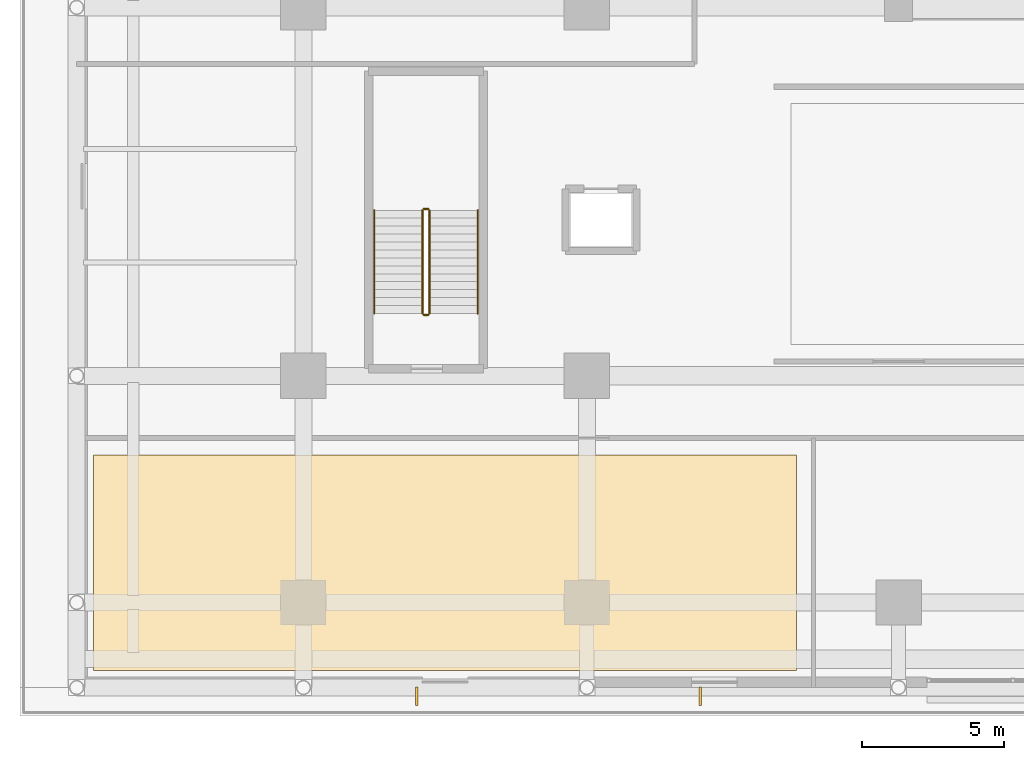
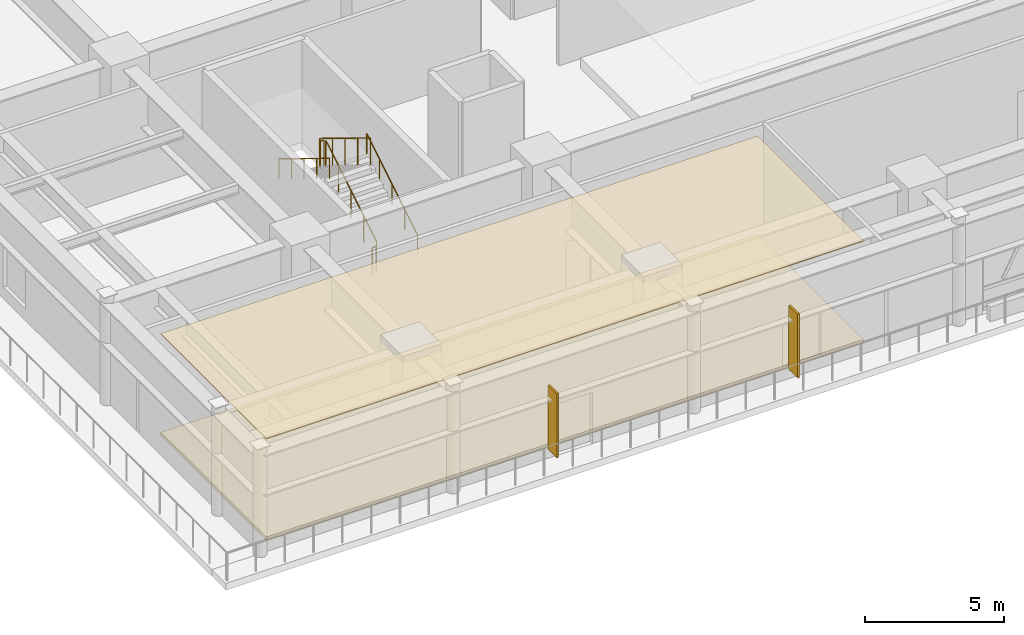
# One storey, part 32 of 38: 6 railings, 2 coverings, 2 shading devices.
"""IFC4 building model written with IfcOpenShell, lengths in metres."""

from ifc_helpers import new_model, si_unit, direction, frame, origin, origin_2d, place, context, subcontext, project, spatial, polyline, rectangle, circle, outline, extrude, source, transform, mapped, material, layer, layer_set, type_object, element, save


model = new_model("IFC4")

# Units and contexts
model_context = context("Model", 3, precision=1e-05, world=origin(), true_north=direction((0.0, 1.0)))
body_context = subcontext(model_context, "Body", "Model", "MODEL_VIEW")
ifc_project = project(units=[si_unit("LENGTHUNIT", "METRE"), si_unit("AREAUNIT", "SQUARE_METRE"), si_unit("VOLUMEUNIT", "CUBIC_METRE"), si_unit("PLANEANGLEUNIT", "RADIAN"), si_unit("MASSUNIT", "GRAM", prefix="KILO")], contexts=[model_context])

# Site, building, storey
site_placement = place(None, origin())
site = spatial("IfcSite", under=ifc_project, at=site_placement, CompositionType="ELEMENT")
building_placement = place(site_placement, origin())
building = spatial("IfcBuilding", under=site, at=building_placement, Name="Khorayat Bourse Tower", CompositionType="ELEMENT")
storey_placement = place(building_placement, frame((0.0, 0.0, 17.39990234375)))
storey = spatial("IfcBuildingStorey", under=building, at=storey_placement, Name="L03", CompositionType="ELEMENT", Elevation=17.39990234375)

# Coverings
ifc_material_1 = material(Name="Mineral fibre acoustic ceiling tile")
ifc_layer_1 = layer(ifc_material_1, 0.0400390625)
ifc_layer_set_1 = layer_set([ifc_layer_1], Name="Mineral fibre acoustic ceiling tile")
covering_type_1 = type_object("IfcCoveringType", Name="COV-CEIL-ACOUSTIC", PredefinedType="CEILING", material=ifc_layer_set_1)
covering_1_placement = place(storey_placement, frame((0.0, 0.0, 4.440185546875)))
element("IfcCovering", 1, at=covering_1_placement, inside=storey, type_object=covering_type_1, Name="L03 Suspended Ceiling 2", PredefinedType="CEILING", context=body_context, shape_type="SweptSolid", body=[
    extrude(outline(polyline([(-39.39990234375, -34.39990234375), (-14.60009765625, -34.39990234375), (-14.60009765625, -26.800048828125), (-39.39990234375, -26.800048828125), (-39.39990234375, -34.39990234375)])), origin(), (0.0, 0.0, 1.0), 0.039794921875),
])
ifc_material_2 = material(Name="Steel-encapsulated raised access floor", Category="steel")
ifc_layer_2 = layer(ifc_material_2, 0.14990234375)
ifc_layer_set_2 = layer_set([ifc_layer_2], Name="Steel-encapsulated raised access floor")
covering_type_2 = type_object("IfcCoveringType", Name="COV-RAF-OFFICE", PredefinedType="FLOORING", material=ifc_layer_set_2)
covering_2_placement = place(storey_placement, origin())
element("IfcCovering", 2, at=covering_2_placement, inside=storey, type_object=covering_type_2, Name="L03 Raised Access Floor 2", PredefinedType="FLOORING", context=body_context, shape_type="SweptSolid", body=[
    extrude(outline(polyline([(-39.39990234375, -34.39990234375), (-14.60009765625, -34.39990234375), (-14.60009765625, -26.800048828125), (-39.39990234375, -26.800048828125), (-39.39990234375, -34.39990234375)])), origin(), (0.0, 0.0, 1.0), 0.150146484375),
])

# Shading devices
ifc_material_3 = material(Name="Anodised champagne aluminium", Category="aluminium")
ifc_layer_3 = layer(ifc_material_3, 0.080078125)
ifc_layer_set_3 = layer_set([ifc_layer_3], Name="Anodised champagne aluminium")
shading_device_type = type_object("IfcShadingDeviceType", Name="SHD-MASHRABIYA-FIN", PredefinedType="USERDEFINED", material=ifc_layer_set_3)
shared_shape_1 = source(origin(), body_context, "Body", "SweptSolid", [
    extrude(rectangle(XDim=0.080078125, YDim=0.64990234375, at=origin_2d()), origin(), (0.0, 0.0, 1.0), 2.800048828125),
])
for number, where, z_axis, x_axis, name in (
    (3, (-28.0, -35.300048828125, 0.39990234375), (0.0, 0.0, 1.0), (1.0, 0.0, 0.0), "L03 Mashrabiya Vertical Shading Fin 1"),
    (4, (-18.0, -35.300048828125, 0.39990234375), (0.0, 0.0, 1.0), (1.0, 0.0, 0.0), "L03 Mashrabiya Vertical Shading Fin 2"),
):
    element("IfcShadingDevice", number, at=place(storey_placement, frame(where, z_axis=z_axis, x_axis=x_axis)), inside=storey, type_object=shading_device_type, Name=name, ObjectType="FIN", PredefinedType="USERDEFINED", context=body_context, shape_type="MappedRepresentation", body=[
        mapped(shared_shape_1, transform((0.0, 0.0, 0.0), scale=1.0)),
    ])

# Railings
ifc_material_4 = material(Name="Powder-coated steel balustrade", Category="steel")
railing_type_1 = type_object("IfcRailingType", Name="RLG-GUARD-1200", PredefinedType="GUARDRAIL", material=ifc_material_4)
shared_shape_2 = source(origin(), body_context, "Body", "SweptSolid", [
    extrude(circle(Radius=0.02392578125, at=origin_2d()), frame((0.0, 0.0, 1.17578125), z_axis=(0.0, 0.852865859571, 0.52213008492), x_axis=(-1.0, 0.0, 0.0)), (0.0, 0.0, 1.0), 4.26806640625),
    extrude(circle(Radius=0.02099609375, at=origin_2d()), origin(), (0.0, 0.0, 1.0), 1.15185546875),
    extrude(circle(Radius=0.02099609375, at=origin_2d()), frame((0.0, 0.91015625, 0.55712890625)), (0.0, 0.0, 1.0), 1.15185546875),
    extrude(circle(Radius=0.02099609375, at=origin_2d()), frame((0.0, 1.820068359375, 1.1142578125)), (0.0, 0.0, 1.0), 1.15185546875),
    extrude(circle(Radius=0.02099609375, at=origin_2d()), frame((0.0, 2.72998046875, 1.67138671875)), (0.0, 0.0, 1.0), 1.15185546875),
    extrude(circle(Radius=0.02099609375, at=origin_2d()), frame((0.0, 3.64013671875, 2.228515625)), (0.0, 0.0, 1.0), 1.15185546875),
])
railing_1_placement = place(storey_placement, frame((-27.550048828125, -21.800048828125, 0.171630859375)))
element("IfcRailing", 5, at=railing_1_placement, inside=storey, type_object=railing_type_1, Name="L03 ST-P1 stair guard 1", PredefinedType="GUARDRAIL", context=body_context, shape_type="MappedRepresentation", body=[
    mapped(shared_shape_2, transform((0.0, 0.0, 0.0), scale=1.0)),
])
shared_shape_3 = source(origin(), body_context, "Body", "SweptSolid", [
    extrude(circle(Radius=0.02392578125, at=origin_2d()), frame((0.0, 0.0, 1.17578125), z_axis=(-1.0, 0.0, 0.0), x_axis=(0.0, -1.0, 0.0)), (0.0, 0.0, 1.0), 0.14990234375),
    extrude(circle(Radius=0.02099609375, at=origin_2d()), origin(), (0.0, 0.0, 1.0), 1.15185546875),
    extrude(circle(Radius=0.02099609375, at=origin_2d()), frame((-0.14990234375, 0.0, 0.0)), (0.0, 0.0, 1.0), 1.15185546875),
])
for number, where, name in (
    (6, (-27.60009765625, -18.110107421875, 2.400146484375), "L03 ST-P1 stair guard 2"),
    (7, (-27.60009765625, -21.85009765625, 0.0), "L03 ST-P1 stair guard 4"),
):
    element("IfcRailing", number, at=place(storey_placement, frame(where)), inside=storey, type_object=railing_type_1, Name=name, PredefinedType="GUARDRAIL", context=body_context, shape_type="MappedRepresentation", body=[
        mapped(shared_shape_3, transform((0.0, 0.0, 0.0), scale=1.0)),
    ])
shared_shape_4 = source(origin(), body_context, "Body", "SweptSolid", [
    extrude(circle(Radius=0.02392578125, at=origin_2d()), frame((0.0, 0.0, 1.17578125), z_axis=(0.0, -0.852865859571, 0.52213008492), x_axis=(1.0, 0.0, 0.0)), (0.0, 0.0, 1.0), 4.26806640625),
    extrude(circle(Radius=0.02099609375, at=origin_2d()), origin(), (0.0, 0.0, 1.0), 1.15185546875),
    extrude(circle(Radius=0.02099609375, at=origin_2d()), frame((0.0, -0.91015625, 0.55712890625)), (0.0, 0.0, 1.0), 1.15185546875),
    extrude(circle(Radius=0.02099609375, at=origin_2d()), frame((0.0, -1.820068359375, 1.1142578125)), (0.0, 0.0, 1.0), 1.15185546875),
    extrude(circle(Radius=0.02099609375, at=origin_2d()), frame((0.0, -2.72998046875, 1.67138671875)), (0.0, 0.0, 1.0), 1.15185546875),
    extrude(circle(Radius=0.02099609375, at=origin_2d()), frame((0.0, -3.64013671875, 2.228515625)), (0.0, 0.0, 1.0), 1.15185546875),
])
railing_2_placement = place(storey_placement, frame((-27.800048828125, -18.159912109375, 2.571533203125)))
element("IfcRailing", 8, at=railing_2_placement, inside=storey, type_object=railing_type_1, Name="L03 ST-P1 stair guard 3", PredefinedType="GUARDRAIL", context=body_context, shape_type="MappedRepresentation", body=[
    mapped(shared_shape_4, transform((0.0, 0.0, 0.0), scale=1.0)),
])
ifc_material_5 = material(Name="Brushed bronze stainless-steel handrail", Category="steel")
railing_type_2 = type_object("IfcRailingType", Name="RLG-HAND-900", PredefinedType="HANDRAIL", material=ifc_material_5)
shared_shape_5 = source(origin(), body_context, "Body", "SweptSolid", [
    extrude(circle(Radius=0.02392578125, at=origin_2d()), frame((0.0, 0.0, 0.8759765625), z_axis=(0.0, 0.852865859571, 0.52213008492), x_axis=(-1.0, 0.0, 0.0)), (0.0, 0.0, 1.0), 4.26806640625),
    extrude(circle(Radius=0.02099609375, at=origin_2d()), origin(), (0.0, 0.0, 1.0), 0.851806640625),
    extrude(circle(Radius=0.02099609375, at=origin_2d()), frame((0.0, 0.91015625, 0.55712890625)), (0.0, 0.0, 1.0), 0.851806640625),
    extrude(circle(Radius=0.02099609375, at=origin_2d()), frame((0.0, 1.820068359375, 1.1142578125)), (0.0, 0.0, 1.0), 0.851806640625),
    extrude(circle(Radius=0.02099609375, at=origin_2d()), frame((0.0, 2.72998046875, 1.67138671875)), (0.0, 0.0, 1.0), 0.851806640625),
    extrude(circle(Radius=0.02099609375, at=origin_2d()), frame((0.0, 3.64013671875, 2.228515625)), (0.0, 0.0, 1.0), 0.851806640625),
])
railing_3_placement = place(storey_placement, frame((-25.85009765625, -21.800048828125, 0.171630859375)))
element("IfcRailing", 9, at=railing_3_placement, inside=storey, type_object=railing_type_2, Name="L03 ST-P1 stair handrail 1", PredefinedType="HANDRAIL", context=body_context, shape_type="MappedRepresentation", body=[
    mapped(shared_shape_5, transform((0.0, 0.0, 0.0), scale=1.0)),
])
shared_shape_6 = source(origin(), body_context, "Body", "SweptSolid", [
    extrude(circle(Radius=0.02392578125, at=origin_2d()), frame((0.0, 0.0, 0.8759765625), z_axis=(0.0, -0.852865859571, 0.52213008492), x_axis=(1.0, 0.0, 0.0)), (0.0, 0.0, 1.0), 4.26806640625),
    extrude(circle(Radius=0.02099609375, at=origin_2d()), origin(), (0.0, 0.0, 1.0), 0.851806640625),
    extrude(circle(Radius=0.02099609375, at=origin_2d()), frame((0.0, -0.91015625, 0.55712890625)), (0.0, 0.0, 1.0), 0.851806640625),
    extrude(circle(Radius=0.02099609375, at=origin_2d()), frame((0.0, -1.820068359375, 1.1142578125)), (0.0, 0.0, 1.0), 0.851806640625),
    extrude(circle(Radius=0.02099609375, at=origin_2d()), frame((0.0, -2.72998046875, 1.67138671875)), (0.0, 0.0, 1.0), 0.851806640625),
    extrude(circle(Radius=0.02099609375, at=origin_2d()), frame((0.0, -3.64013671875, 2.228515625)), (0.0, 0.0, 1.0), 0.851806640625),
])
railing_4_placement = place(storey_placement, frame((-29.5, -18.159912109375, 2.571533203125)))
element("IfcRailing", 10, at=railing_4_placement, inside=storey, type_object=railing_type_2, Name="L03 ST-P1 stair handrail 2", PredefinedType="HANDRAIL", context=body_context, shape_type="MappedRepresentation", body=[
    mapped(shared_shape_6, transform((0.0, 0.0, 0.0), scale=1.0)),
])

save(model, "model.ifc")
